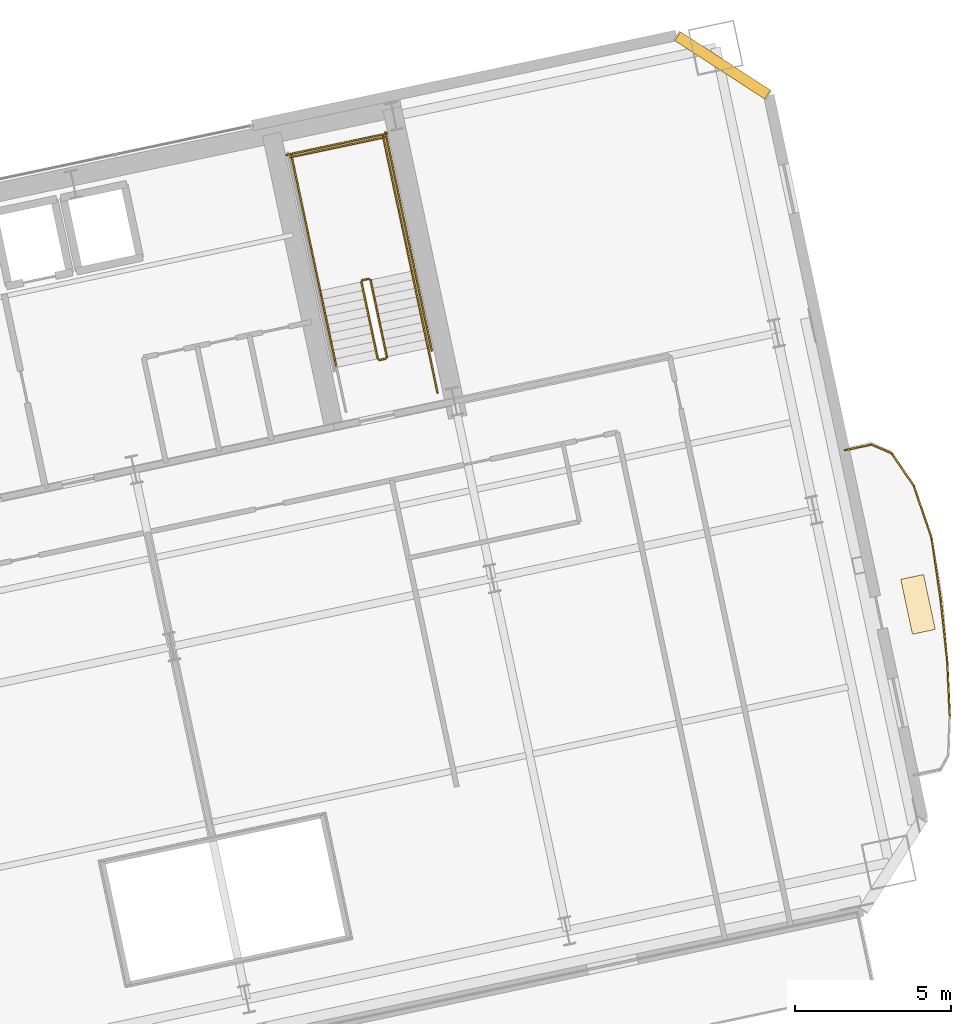
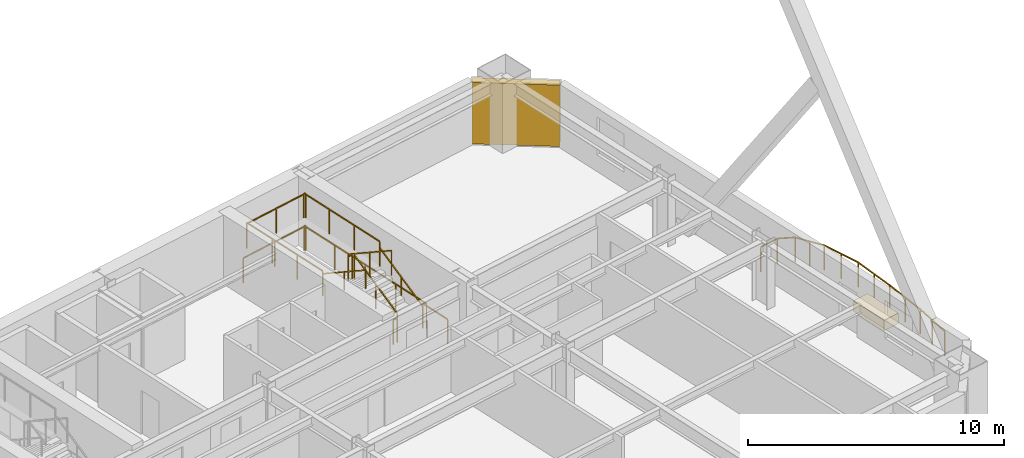
# One storey, part 22 of 22: 19 railings, 1 covering, 1 shading device.
"""IFC4 building model written with IfcOpenShell, lengths in metres."""

from ifc_helpers import new_model, si_unit, direction, frame, origin, origin_2d, place, context, subcontext, project, spatial, rectangle, extrude, material, layer, layer_set, type_object, element, save


model = new_model("IFC4")

# Units and contexts
model_context = context("Model", 3, precision=1e-05, world=origin(), true_north=direction((0.0, 1.0)))
body_context = subcontext(model_context, "Body", "Model", "MODEL_VIEW")
ifc_project = project(units=[si_unit("LENGTHUNIT", "METRE"), si_unit("AREAUNIT", "SQUARE_METRE"), si_unit("VOLUMEUNIT", "CUBIC_METRE"), si_unit("PLANEANGLEUNIT", "RADIAN"), si_unit("MASSUNIT", "GRAM", prefix="KILO")], contexts=[model_context])

# Site, building, storey
site_placement = place(None, origin())
site = spatial("IfcSite", under=ifc_project, at=site_placement, CompositionType="ELEMENT")
building_placement = place(site_placement, origin())
building = spatial("IfcBuilding", under=site, at=building_placement, Name="Haevon Station Towers", CompositionType="ELEMENT")
storey_placement = place(building_placement, frame((0.0, 0.0, 70.199951171875)))
storey = spatial("IfcBuildingStorey", under=building, at=storey_placement, Name="L18", CompositionType="ELEMENT", Elevation=70.199951171875)

# Railings
ifc_material_1 = material(Name="Steel S355", Category="steel")
railing_type_1 = type_object("IfcRailingType", Name="GRD-EXT1200", PredefinedType="GUARDRAIL", material=ifc_material_1)
railing_1_placement = place(storey_placement, frame((135.17431640625, 31.700927734375, 0.0)))
element("IfcRailing", 1, at=railing_1_placement, inside=storey, type_object=railing_type_1, Name="L18 Perimeter Guardrail 4", PredefinedType="GUARDRAIL", context=body_context, shape_type="SweptSolid", body=[
    extrude(rectangle(XDim=0.048095703125, YDim=0.048095703125, at=origin_2d()), frame((0.0, 0.0, 1.17578125), z_axis=(-0.04640707472, 0.998922611325, 0.0), x_axis=(-0.998922611325, -0.04640707472, 0.0)), (0.0, 0.0, 1.0), 1.77294921875),
    extrude(rectangle(XDim=0.0419921875, YDim=0.0419921875, at=origin_2d()), origin(), (0.0, 0.0, 1.0), 1.15185546875),
    extrude(rectangle(XDim=0.0419921875, YDim=0.0419921875, at=origin_2d()), frame((-0.041015625, 0.885498046875, 0.0)), (0.0, 0.0, 1.0), 1.15185546875),
    extrude(rectangle(XDim=0.0419921875, YDim=0.0419921875, at=origin_2d()), frame((-0.082275390625, 1.77099609375, 0.0)), (0.0, 0.0, 1.0), 1.15185546875),
])
railing_2_placement = place(storey_placement, frame((135.092041015625, 33.471923828125, 0.0)))
element("IfcRailing", 2, at=railing_2_placement, inside=storey, type_object=railing_type_1, Name="L18 Perimeter Guardrail 5", PredefinedType="GUARDRAIL", context=body_context, shape_type="SweptSolid", body=[
    extrude(rectangle(XDim=0.048095703125, YDim=0.048095703125, at=origin_2d()), frame((0.0, 0.0, 1.17578125), z_axis=(-0.106584854069, 0.994303610012, 0.0), x_axis=(-0.994303610012, -0.106584854069, 0.0)), (0.0, 0.0, 1.0), 1.999755859375),
    extrude(rectangle(XDim=0.0419921875, YDim=0.0419921875, at=origin_2d()), origin(), (0.0, 0.0, 1.0), 1.15185546875),
    extrude(rectangle(XDim=0.0419921875, YDim=0.0419921875, at=origin_2d()), frame((-0.1064453125, 0.994140625, 0.0)), (0.0, 0.0, 1.0), 1.15185546875),
    extrude(rectangle(XDim=0.0419921875, YDim=0.0419921875, at=origin_2d()), frame((-0.213134765625, 1.98828125, 0.0)), (0.0, 0.0, 1.0), 1.15185546875),
])
railing_3_placement = place(storey_placement, frame((134.87890625, 35.460205078125, 0.0)))
element("IfcRailing", 3, at=railing_3_placement, inside=storey, type_object=railing_type_1, Name="L18 Perimeter Guardrail 6", PredefinedType="GUARDRAIL", context=body_context, shape_type="SweptSolid", body=[
    extrude(rectangle(XDim=0.048095703125, YDim=0.048095703125, at=origin_2d()), frame((0.0, 0.0, 1.17578125), z_axis=(-0.145339148966, 0.989381893799, 0.0), x_axis=(-0.989381893799, -0.145339148966, 0.0)), (0.0, 0.0, 1.0), 1.997314453125),
    extrude(rectangle(XDim=0.0419921875, YDim=0.0419921875, at=origin_2d()), origin(), (0.0, 0.0, 1.0), 1.15185546875),
    extrude(rectangle(XDim=0.0419921875, YDim=0.0419921875, at=origin_2d()), frame((-0.14501953125, 0.988037109375, 0.0)), (0.0, 0.0, 1.0), 1.15185546875),
    extrude(rectangle(XDim=0.0419921875, YDim=0.0419921875, at=origin_2d()), frame((-0.290283203125, 1.97607421875, 0.0)), (0.0, 0.0, 1.0), 1.15185546875),
])
railing_4_placement = place(storey_placement, frame((134.588623046875, 37.436279296875, 0.0)))
element("IfcRailing", 4, at=railing_4_placement, inside=storey, type_object=railing_type_1, Name="L18 Perimeter Guardrail 7", PredefinedType="GUARDRAIL", context=body_context, shape_type="SweptSolid", body=[
    extrude(rectangle(XDim=0.048095703125, YDim=0.048095703125, at=origin_2d()), frame((0.0, 0.0, 1.17578125), z_axis=(-0.321511973144, 0.946905513304, 0.0), x_axis=(-0.946905513304, -0.321511973144, 0.0)), (0.0, 0.0, 1.0), 1.758544921875),
    extrude(rectangle(XDim=0.0419921875, YDim=0.0419921875, at=origin_2d()), origin(), (0.0, 0.0, 1.0), 1.15185546875),
    extrude(rectangle(XDim=0.0419921875, YDim=0.0419921875, at=origin_2d()), frame((-0.28271484375, 0.83251953125, 0.0)), (0.0, 0.0, 1.0), 1.15185546875),
    extrude(rectangle(XDim=0.0419921875, YDim=0.0419921875, at=origin_2d()), frame((-0.5654296875, 1.665283203125, 0.0)), (0.0, 0.0, 1.0), 1.15185546875),
])
railing_5_placement = place(storey_placement, frame((134.023193359375, 39.1015625, 0.0)))
element("IfcRailing", 5, at=railing_5_placement, inside=storey, type_object=railing_type_1, Name="L18 Perimeter Guardrail 8", PredefinedType="GUARDRAIL", context=body_context, shape_type="SweptSolid", body=[
    extrude(rectangle(XDim=0.048095703125, YDim=0.048095703125, at=origin_2d()), frame((0.0, 0.0, 1.17578125), z_axis=(-0.563672443098, 0.825998412161, 0.0), x_axis=(-0.825998412161, -0.563672443098, 0.0)), (0.0, 0.0, 1.0), 1.263916015625),
    extrude(rectangle(XDim=0.0419921875, YDim=0.0419921875, at=origin_2d()), origin(), (0.0, 0.0, 1.0), 1.15185546875),
    extrude(rectangle(XDim=0.0419921875, YDim=0.0419921875, at=origin_2d()), frame((-0.356201171875, 0.52197265625, 0.0)), (0.0, 0.0, 1.0), 1.15185546875),
    extrude(rectangle(XDim=0.0419921875, YDim=0.0419921875, at=origin_2d()), frame((-0.71240234375, 1.0439453125, 0.0)), (0.0, 0.0, 1.0), 1.15185546875),
])
railing_6_placement = place(storey_placement, frame((133.310791015625, 40.1455078125, 0.0)))
element("IfcRailing", 6, at=railing_6_placement, inside=storey, type_object=railing_type_1, Name="L18 Perimeter Guardrail 9", PredefinedType="GUARDRAIL", context=body_context, shape_type="SweptSolid", body=[
    extrude(rectangle(XDim=0.048095703125, YDim=0.048095703125, at=origin_2d()), frame((0.0, 0.0, 1.17578125), z_axis=(-0.915743501552, 0.401763412179, 0.0), x_axis=(-0.401763412179, -0.915743501552, 0.0)), (0.0, 0.0, 1.0), 0.704833984375),
    extrude(rectangle(XDim=0.0419921875, YDim=0.0419921875, at=origin_2d()), origin(), (0.0, 0.0, 1.0), 1.15185546875),
    extrude(rectangle(XDim=0.0419921875, YDim=0.0419921875, at=origin_2d()), frame((-0.6455078125, 0.283203125, 0.0)), (0.0, 0.0, 1.0), 1.15185546875),
])
railing_7_placement = place(storey_placement, frame((132.665283203125, 40.4287109375, 0.0)))
element("IfcRailing", 7, at=railing_7_placement, inside=storey, type_object=railing_type_1, Name="L18 Perimeter Guardrail 10", PredefinedType="GUARDRAIL", context=body_context, shape_type="SweptSolid", body=[
    extrude(rectangle(XDim=0.048095703125, YDim=0.048095703125, at=origin_2d()), frame((0.0, 0.0, 1.17578125), z_axis=(-0.978645023674, -0.205557577426, 0.0), x_axis=(0.205557577426, -0.978645023674, 0.0)), (0.0, 0.0, 1.0), 0.869384765625),
    extrude(rectangle(XDim=0.0419921875, YDim=0.0419921875, at=origin_2d()), origin(), (0.0, 0.0, 1.0), 1.15185546875),
    extrude(rectangle(XDim=0.0419921875, YDim=0.0419921875, at=origin_2d()), frame((-0.850830078125, -0.1787109375, 0.0)), (0.0, 0.0, 1.0), 1.15185546875),
])
railing_type_2 = type_object("IfcRailingType", Name="GRD-STR1200", PredefinedType="GUARDRAIL", material=ifc_material_1)
railing_8_placement = place(storey_placement, frame((117.128662109375, 43.23974609375, 0.1650390625)))
element("IfcRailing", 8, at=railing_8_placement, inside=storey, type_object=railing_type_2, Name="L18 ST4 Stair Guard 1", PredefinedType="GUARDRAIL", context=body_context, shape_type="SweptSolid", body=[
    extrude(rectangle(XDim=0.048095703125, YDim=0.048095703125, at=origin_2d()), frame((0.0, 0.0, 1.17578125), z_axis=(-0.179121265225, 0.842687928106, 0.507732831485), x_axis=(-0.978147030254, -0.207914374695, 0.0)), (0.0, 0.0, 1.0), 2.925048828125),
    extrude(rectangle(XDim=0.0419921875, YDim=0.0419921875, at=origin_2d()), origin(), (0.0, 0.0, 1.0), 1.15185546875),
    extrude(rectangle(XDim=0.0419921875, YDim=0.0419921875, at=origin_2d()), frame((-0.261962890625, 1.232421875, 0.74267578125)), (0.0, 0.0, 1.0), 1.15185546875),
    extrude(rectangle(XDim=0.0419921875, YDim=0.0419921875, at=origin_2d()), frame((-0.52392578125, 2.46484375, 1.485107421875)), (0.0, 0.0, 1.0), 1.15185546875),
])
railing_9_placement = place(storey_placement, frame((116.54541015625, 45.7431640625, 1.650146484375)))
element("IfcRailing", 9, at=railing_9_placement, inside=storey, type_object=railing_type_2, Name="L18 ST4 Stair Guard 2", PredefinedType="GUARDRAIL", context=body_context, shape_type="SweptSolid", body=[
    extrude(rectangle(XDim=0.048095703125, YDim=0.048095703125, at=origin_2d()), frame((0.0, 0.0, 1.17578125), z_axis=(-0.97826412705, -0.207362720198, 0.0), x_axis=(0.207362720198, -0.97826412705, 0.0)), (0.0, 0.0, 1.0), 0.2001953125),
    extrude(rectangle(XDim=0.0419921875, YDim=0.0419921875, at=origin_2d()), origin(), (0.0, 0.0, 1.0), 1.15185546875),
    extrude(rectangle(XDim=0.0419921875, YDim=0.0419921875, at=origin_2d()), frame((-0.19580078125, -0.04150390625, 0.0)), (0.0, 0.0, 1.0), 1.15185546875),
])
railing_10_placement = place(storey_placement, frame((117.925048828125, 45.9853515625, 1.650146484375)))
element("IfcRailing", 10, at=railing_10_placement, inside=storey, type_object=railing_type_2, Name="L18 ST4 Stair Guard 3", PredefinedType="GUARDRAIL", context=body_context, shape_type="SweptSolid", body=[
    extrude(rectangle(XDim=0.048095703125, YDim=0.048095703125, at=origin_2d()), frame((0.0, 0.0, 1.17578125), z_axis=(-0.207876551949, 0.978155069071, 0.0), x_axis=(-0.978155069071, -0.207876551949, 0.0)), (0.0, 0.0, 1.0), 4.429931640625),
    extrude(rectangle(XDim=0.0419921875, YDim=0.0419921875, at=origin_2d()), origin(), (0.0, 0.0, 1.0), 1.15185546875),
    extrude(rectangle(XDim=0.0419921875, YDim=0.0419921875, at=origin_2d()), frame((-0.306884765625, 1.4443359375, 0.0)), (0.0, 0.0, 1.0), 1.15185546875),
    extrude(rectangle(XDim=0.0419921875, YDim=0.0419921875, at=origin_2d()), frame((-0.614013671875, 2.888916015625, 0.0)), (0.0, 0.0, 1.0), 1.15185546875),
    extrude(rectangle(XDim=0.0419921875, YDim=0.0419921875, at=origin_2d()), frame((-0.9208984375, 4.333251953125, 0.0)), (0.0, 0.0, 1.0), 1.15185546875),
])
railing_11_placement = place(storey_placement, frame((114.99072265625, 45.361572265625, 1.650146484375)))
element("IfcRailing", 11, at=railing_11_placement, inside=storey, type_object=railing_type_2, Name="L18 ST4 Stair Guard 4", PredefinedType="GUARDRAIL", context=body_context, shape_type="SweptSolid", body=[
    extrude(rectangle(XDim=0.048095703125, YDim=0.048095703125, at=origin_2d()), frame((0.0, 0.0, 1.17578125), z_axis=(-0.207929280007, 0.978143861871, 0.0), x_axis=(-0.978143861871, -0.207929280007, 0.0)), (0.0, 0.0, 1.0), 4.43017578125),
    extrude(rectangle(XDim=0.0419921875, YDim=0.0419921875, at=origin_2d()), origin(), (0.0, 0.0, 1.0), 1.15185546875),
    extrude(rectangle(XDim=0.0419921875, YDim=0.0419921875, at=origin_2d()), frame((-0.30712890625, 1.4443359375, 0.0)), (0.0, 0.0, 1.0), 1.15185546875),
    extrude(rectangle(XDim=0.0419921875, YDim=0.0419921875, at=origin_2d()), frame((-0.614013671875, 2.888916015625, 0.0)), (0.0, 0.0, 1.0), 1.15185546875),
    extrude(rectangle(XDim=0.0419921875, YDim=0.0419921875, at=origin_2d()), frame((-0.921142578125, 4.333251953125, 0.0)), (0.0, 0.0, 1.0), 1.15185546875),
])
railing_12_placement = place(storey_placement, frame((117.0634765625, 50.280029296875, 1.650146484375)))
element("IfcRailing", 12, at=railing_12_placement, inside=storey, type_object=railing_type_2, Name="L18 ST4 Stair Guard 5", PredefinedType="GUARDRAIL", context=body_context, shape_type="SweptSolid", body=[
    extrude(rectangle(XDim=0.048095703125, YDim=0.048095703125, at=origin_2d()), frame((0.0, 0.0, 1.17578125), z_axis=(-0.978146839882, -0.207915270313, 0.0), x_axis=(0.207915270313, -0.978146839882, 0.0)), (0.0, 0.0, 1.0), 3.099853515625),
    extrude(rectangle(XDim=0.0419921875, YDim=0.0419921875, at=origin_2d()), origin(), (0.0, 0.0, 1.0), 1.15185546875),
    extrude(rectangle(XDim=0.0419921875, YDim=0.0419921875, at=origin_2d()), frame((-1.51611328125, -0.322265625, 0.0)), (0.0, 0.0, 1.0), 1.15185546875),
    extrude(rectangle(XDim=0.0419921875, YDim=0.0419921875, at=origin_2d()), frame((-3.0322265625, -0.64453125, 0.0)), (0.0, 0.0, 1.0), 1.15185546875),
])
railing_13_placement = place(storey_placement, frame((116.311279296875, 45.642333984375, 1.81494140625)))
element("IfcRailing", 13, at=railing_13_placement, inside=storey, type_object=railing_type_2, Name="L18 ST4 Stair Guard 6", PredefinedType="GUARDRAIL", context=body_context, shape_type="SweptSolid", body=[
    extrude(rectangle(XDim=0.048095703125, YDim=0.048095703125, at=origin_2d()), frame((0.0, 0.0, 1.17578125), z_axis=(0.179108667068, -0.842712120868, 0.50769712105), x_axis=(0.978151217824, 0.207894673017, 0.0)), (0.0, 0.0, 1.0), 2.92529296875),
    extrude(rectangle(XDim=0.0419921875, YDim=0.0419921875, at=origin_2d()), origin(), (0.0, 0.0, 1.0), 1.15185546875),
    extrude(rectangle(XDim=0.0419921875, YDim=0.0419921875, at=origin_2d()), frame((0.261962890625, -1.232421875, 0.74267578125)), (0.0, 0.0, 1.0), 1.15185546875),
    extrude(rectangle(XDim=0.0419921875, YDim=0.0419921875, at=origin_2d()), frame((0.52392578125, -2.465087890625, 1.485107421875)), (0.0, 0.0, 1.0), 1.15185546875),
])
railing_14_placement = place(storey_placement, frame((117.090087890625, 43.180419921875, 0.0)))
element("IfcRailing", 14, at=railing_14_placement, inside=storey, type_object=railing_type_2, Name="L18 ST4 Stair Guard 7", PredefinedType="GUARDRAIL", context=body_context, shape_type="SweptSolid", body=[
    extrude(rectangle(XDim=0.048095703125, YDim=0.048095703125, at=origin_2d()), frame((0.0, 0.0, 1.17578125), z_axis=(-0.978211583308, -0.207610448392, 0.0), x_axis=(0.207610448392, -0.978211583308, 0.0)), (0.0, 0.0, 1.0), 0.199951171875),
    extrude(rectangle(XDim=0.0419921875, YDim=0.0419921875, at=origin_2d()), origin(), (0.0, 0.0, 1.0), 1.15185546875),
    extrude(rectangle(XDim=0.0419921875, YDim=0.0419921875, at=origin_2d()), frame((-0.195556640625, -0.04150390625, 0.0)), (0.0, 0.0, 1.0), 1.15185546875),
])
railing_15_placement = place(storey_placement, frame((118.75048828125, 42.10205078125, 0.0)))
element("IfcRailing", 15, at=railing_15_placement, inside=storey, type_object=railing_type_2, Name="L18 ST4 Stair Guard 8", PredefinedType="GUARDRAIL", context=body_context, shape_type="SweptSolid", body=[
    extrude(rectangle(XDim=0.048095703125, YDim=0.048095703125, at=origin_2d()), frame((0.0, 0.0, 1.17578125), z_axis=(-0.207919161079, 0.978146012851, 0.0), x_axis=(-0.978146012851, -0.207919161079, 0.0)), (0.0, 0.0, 1.0), 1.4501953125),
    extrude(rectangle(XDim=0.0419921875, YDim=0.0419921875, at=origin_2d()), origin(), (0.0, 0.0, 1.0), 1.15185546875),
    extrude(rectangle(XDim=0.0419921875, YDim=0.0419921875, at=origin_2d()), frame((-0.301513671875, 1.41845703125, 0.0)), (0.0, 0.0, 1.0), 1.15185546875),
])
railing_16_placement = place(storey_placement, frame((118.567626953125, 43.443359375, 0.0)))
element("IfcRailing", 16, at=railing_16_placement, inside=storey, type_object=railing_type_2, Name="L18 ST4 Stair Guard 10", PredefinedType="GUARDRAIL", context=body_context, shape_type="SweptSolid", body=[
    extrude(rectangle(XDim=0.048095703125, YDim=0.048095703125, at=origin_2d()), frame((0.0, 0.0, 1.17578125), z_axis=(-0.207908168386, 0.978148349443, 0.0), x_axis=(-0.978148349443, -0.207908168386, 0.0)), (0.0, 0.0, 1.0), 7.150146484375),
    extrude(rectangle(XDim=0.0419921875, YDim=0.0419921875, at=origin_2d()), origin(), (0.0, 0.0, 1.0), 1.15185546875),
    extrude(rectangle(XDim=0.0419921875, YDim=0.0419921875, at=origin_2d()), frame((-0.37158203125, 1.74853515625, 0.0)), (0.0, 0.0, 1.0), 1.15185546875),
    extrude(rectangle(XDim=0.0419921875, YDim=0.0419921875, at=origin_2d()), frame((-0.7431640625, 3.4970703125, 0.0)), (0.0, 0.0, 1.0), 1.15185546875),
    extrude(rectangle(XDim=0.0419921875, YDim=0.0419921875, at=origin_2d()), frame((-1.114990234375, 5.245361328125, 0.0)), (0.0, 0.0, 1.0), 1.15185546875),
    extrude(rectangle(XDim=0.0419921875, YDim=0.0419921875, at=origin_2d()), frame((-1.486572265625, 6.993896484375, 0.0)), (0.0, 0.0, 1.0), 1.15185546875),
])
railing_17_placement = place(storey_placement, frame((117.140380859375, 50.398681640625, 0.0)))
element("IfcRailing", 17, at=railing_17_placement, inside=storey, type_object=railing_type_2, Name="L18 ST4 Stair Guard 12", PredefinedType="GUARDRAIL", context=body_context, shape_type="SweptSolid", body=[
    extrude(rectangle(XDim=0.048095703125, YDim=0.048095703125, at=origin_2d()), frame((0.0, 0.0, 1.17578125), z_axis=(-0.978135717418, -0.207967589567, 0.0), x_axis=(0.207967589567, -0.978135717418, 0.0)), (0.0, 0.0, 1.0), 3.300048828125),
    extrude(rectangle(XDim=0.0419921875, YDim=0.0419921875, at=origin_2d()), origin(), (0.0, 0.0, 1.0), 1.15185546875),
    extrude(rectangle(XDim=0.0419921875, YDim=0.0419921875, at=origin_2d()), frame((-1.61376953125, -0.34326171875, 0.0)), (0.0, 0.0, 1.0), 1.15185546875),
    extrude(rectangle(XDim=0.0419921875, YDim=0.0419921875, at=origin_2d()), frame((-3.227783203125, -0.686279296875, 0.0)), (0.0, 0.0, 1.0), 1.15185546875),
])
railing_type_3 = type_object("IfcRailingType", Name="HND-STR900", PredefinedType="HANDRAIL", material=ifc_material_1)
railing_18_placement = place(storey_placement, frame((118.448974609375, 43.5205078125, 0.1650390625)))
element("IfcRailing", 18, at=railing_18_placement, inside=storey, type_object=railing_type_3, Name="L18 ST4 Stair Handrail 1", PredefinedType="HANDRAIL", context=body_context, shape_type="SweptSolid", body=[
    extrude(rectangle(XDim=0.048095703125, YDim=0.048095703125, at=origin_2d()), frame((0.0, 0.0, 0.8759765625), z_axis=(-0.179121265225, 0.842687928106, 0.507732831485), x_axis=(-0.978147030254, -0.207914374695, 0.0)), (0.0, 0.0, 1.0), 2.925048828125),
    extrude(rectangle(XDim=0.0419921875, YDim=0.0419921875, at=origin_2d()), origin(), (0.0, 0.0, 1.0), 0.851806640625),
    extrude(rectangle(XDim=0.0419921875, YDim=0.0419921875, at=origin_2d()), frame((-0.261962890625, 1.232421875, 0.74267578125)), (0.0, 0.0, 1.0), 0.851806640625),
    extrude(rectangle(XDim=0.0419921875, YDim=0.0419921875, at=origin_2d()), frame((-0.52392578125, 2.46484375, 1.485107421875)), (0.0, 0.0, 1.0), 0.851806640625),
])
railing_19_placement = place(storey_placement, frame((114.99072265625, 45.361572265625, 1.81494140625)))
element("IfcRailing", 19, at=railing_19_placement, inside=storey, type_object=railing_type_3, Name="L18 ST4 Stair Handrail 2", PredefinedType="HANDRAIL", context=body_context, shape_type="SweptSolid", body=[
    extrude(rectangle(XDim=0.048095703125, YDim=0.048095703125, at=origin_2d()), frame((0.0, 0.0, 0.8759765625), z_axis=(0.179121265225, -0.842687928106, 0.507732831485), x_axis=(0.978147030254, 0.207914374695, 0.0)), (0.0, 0.0, 1.0), 2.925048828125),
    extrude(rectangle(XDim=0.0419921875, YDim=0.0419921875, at=origin_2d()), origin(), (0.0, 0.0, 1.0), 0.851806640625),
    extrude(rectangle(XDim=0.0419921875, YDim=0.0419921875, at=origin_2d()), frame((0.261962890625, -1.232421875, 0.74267578125)), (0.0, 0.0, 1.0), 0.851806640625),
    extrude(rectangle(XDim=0.0419921875, YDim=0.0419921875, at=origin_2d()), frame((0.52392578125, -2.46484375, 1.485107421875)), (0.0, 0.0, 1.0), 0.851806640625),
])

# Covering
ifc_material_2 = material(Name="Architectural planter GRC", Category="concrete")
ifc_layer_1 = layer(ifc_material_2, 0.550048828125)
ifc_layer_set_1 = layer_set([ifc_layer_1], Name="Architectural planter GRC")
covering_type = type_object("IfcCoveringType", Name="PLN-GRC550", PredefinedType="MOLDING", material=ifc_layer_set_1)
covering_placement = place(storey_placement, frame((134.1533203125, 35.305908203125, 0.0), z_axis=(0.0, 0.0, 1.0), x_axis=(0.978147600734, 0.207911690818, 0.0)))
element("IfcCovering", 20, at=covering_placement, inside=storey, type_object=covering_type, Name="Tower 2 L18 Scalloped Balcony PLANTER", PredefinedType="MOLDING", context=body_context, shape_type="SweptSolid", body=[
    extrude(rectangle(XDim=0.75, YDim=1.800048828125, at=origin_2d()), origin(), (0.0, 0.0, 1.0), 0.5),
])

# Shading device
ifc_material_3 = material(Name="Anodised aluminium 6063-T6", Category="aluminium")
ifc_layer_2 = layer(ifc_material_3, 0.139892578125)
ifc_layer_set_2 = layer_set([ifc_layer_2], Name="Anodised aluminium 6063-T6")
shading_device_type = type_object("IfcShadingDeviceType", Name="SHD-WIND-BAFFLE", PredefinedType="SHUTTER", material=ifc_layer_set_2)
shading_device_placement = place(storey_placement, frame((127.8916015625, 52.58154296875, 0.05029296875), z_axis=(0.0, 0.0, 1.0), x_axis=(0.838670519647, -0.544639109388, 0.0)))
element("IfcShadingDevice", 21, at=shading_device_placement, inside=storey, type_object=shading_device_type, Name="Tower 2 L18 Wind-Corner Aerofoil Baffle NEC", PredefinedType="SHUTTER", context=body_context, shape_type="SweptSolid", body=[
    extrude(rectangle(XDim=3.435546875, YDim=0.340087890625, at=origin_2d()), origin(), (0.0, 0.0, 1.0), 2.929931640625),
])

save(model, "model.ifc")
